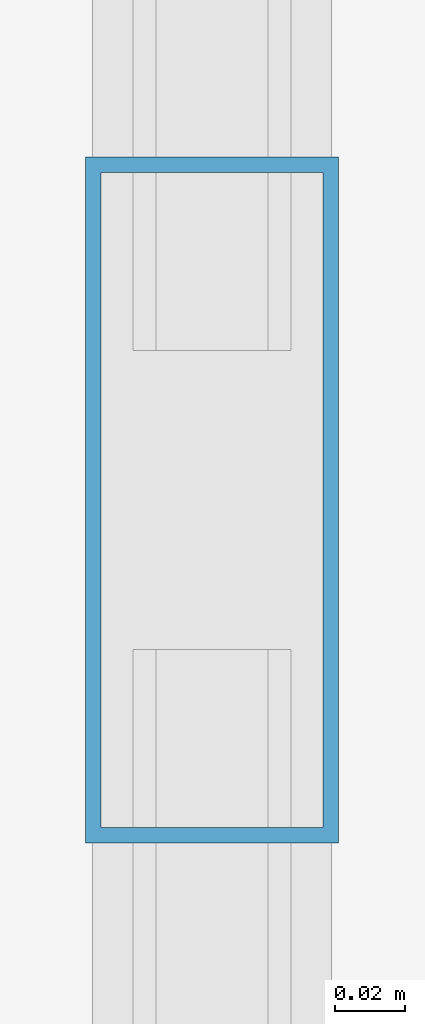
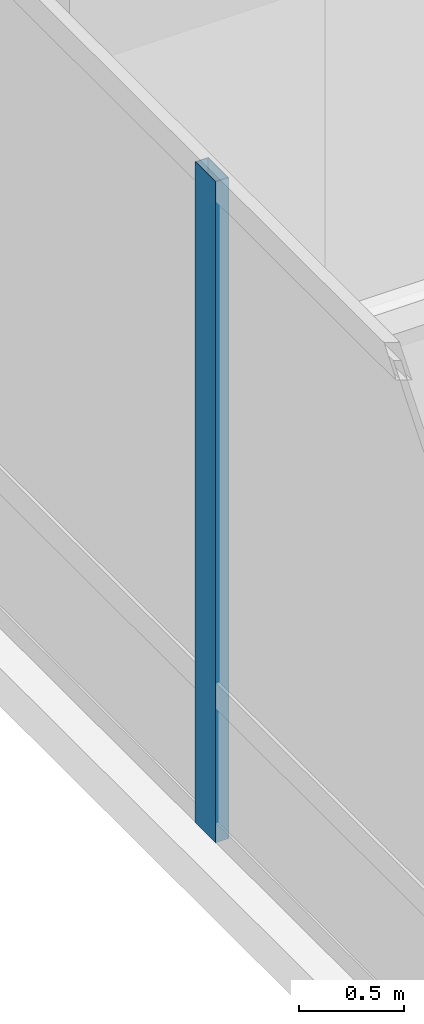
# One storey, part 9 of 37: 1 member, 1 element without a shape of its own.
"""IFC4 building model written with IfcOpenShell, lengths in metres."""

from ifc_helpers import new_model, si_unit, direction, frame, origin, origin_2d, place, context, subcontext, project, spatial, hollow_rectangle, extrude, material, material_profile, profile_set, type_object, element, aggregate, save


model = new_model("IFC4")

# Units and contexts
model_context = context("Model", 3, precision=1e-05, world=origin(), true_north=direction((0.0, 1.0)))
body_context = subcontext(model_context, "Body", "Model", "MODEL_VIEW")
ifc_project = project(units=[si_unit("LENGTHUNIT", "METRE"), si_unit("AREAUNIT", "SQUARE_METRE"), si_unit("VOLUMEUNIT", "CUBIC_METRE"), si_unit("PLANEANGLEUNIT", "RADIAN"), si_unit("MASSUNIT", "GRAM", prefix="KILO")], contexts=[model_context])

# Site, building, storey
site_placement = place(None, origin())
site = spatial("IfcSite", under=ifc_project, at=site_placement, CompositionType="ELEMENT")
building_placement = place(site_placement, origin())
building = spatial("IfcBuilding", under=site, at=building_placement, Name="Punatoya Terracotta Tower", CompositionType="ELEMENT")
storey_placement = place(building_placement, frame((0.0, 0.0, 224.85009765625)))
storey = spatial("IfcBuildingStorey", under=building, at=storey_placement, Name="L53", CompositionType="ELEMENT", Elevation=224.85009765625)

# Curtain wall, member
ifc_material_1 = material(Name="Aluminium 6063-T6 + Double Low-E Glass", Category="aluminium")
curtain_wall_type = type_object("IfcCurtainWallType", Name="CW-M2", PredefinedType="NOTDEFINED", material=ifc_material_1)
curtain_wall_placement = place(storey_placement, origin())
curtain_wall = element("IfcCurtainWall", 1, at=curtain_wall_placement, inside=storey, type_object=curtain_wall_type, Name="L53 Curtain Wall CW-L53-W11-1", PredefinedType="NOTDEFINED")
ifc_material_2 = material(Name="Aluminium 6063-T6", Category="aluminium")
ifc_material_profile = material_profile(ifc_material_2, hollow_rectangle(XDim=0.072021484375, YDim=0.195068359375, WallThickness=0.00439453125, at=origin_2d()))
ifc_profile_set = profile_set([ifc_material_profile], Name="Aluminium 6063-T6")
member_type = type_object("IfcMemberType", Name="CW-MUL-M2", PredefinedType="MULLION", material=ifc_profile_set)
member_placement = place(storey_placement, frame((-20.050048828125, -5.88720703125, 0.0), z_axis=(0.0, 0.0, 1.0), x_axis=(1.0, 0.0, 0.0)))
member = element("IfcMember", 2, at=member_placement, type_object=member_type, Name="CW-L53-W11-1 Mullion 05", PredefinedType="MULLION", context=body_context, shape_type="SweptSolid", body=[
    extrude(hollow_rectangle(XDim=0.072021484375, YDim=0.195068359375, WallThickness=0.00439453125, at=origin_2d()), origin(), (0.0, 0.0, 1.0), 3.829833984375),
])
aggregate(curtain_wall, [member])

save(model, "model.ifc")
